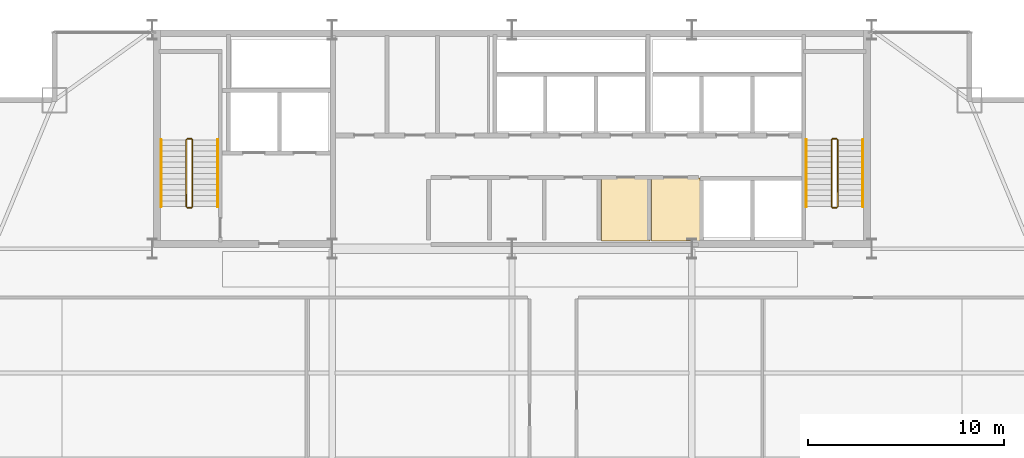
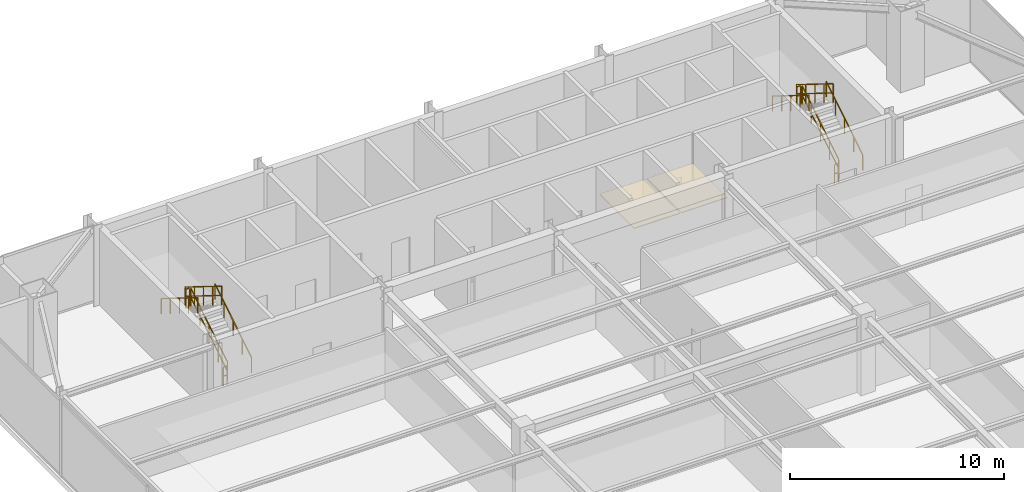
# One storey, part 25 of 25: 12 railings, 2 coverings.
"""IFC4 building model written with IfcOpenShell, lengths in metres."""

from ifc_helpers import new_model, si_unit, direction, frame, origin, origin_2d, place, context, subcontext, project, spatial, polyline, rectangle, outline, extrude, material, layer, layer_set, type_object, element, save


model = new_model("IFC4")

# Units and contexts
model_context = context("Model", 3, precision=1e-05, world=origin(), true_north=direction((0.0, 1.0)))
body_context = subcontext(model_context, "Body", "Model", "MODEL_VIEW")
ifc_project = project(units=[si_unit("LENGTHUNIT", "METRE"), si_unit("AREAUNIT", "SQUARE_METRE"), si_unit("VOLUMEUNIT", "CUBIC_METRE"), si_unit("PLANEANGLEUNIT", "RADIAN"), si_unit("MASSUNIT", "GRAM", prefix="KILO")], contexts=[model_context])

# Site, building, storey
site_placement = place(None, origin())
site = spatial("IfcSite", under=ifc_project, at=site_placement, CompositionType="ELEMENT")
building_placement = place(site_placement, origin())
building = spatial("IfcBuilding", under=site, at=building_placement, Name="Varnel Quay Broadcast Tower", CompositionType="ELEMENT")
storey_placement = place(building_placement, frame((0.0, 0.0, 191.39990234375)))
storey = spatial("IfcBuildingStorey", under=building, at=storey_placement, Name="L47", CompositionType="ELEMENT", Elevation=191.39990234375)

# Coverings
ifc_material_1 = material(Name="Micro-Perforated Acoustic Ceiling Tile")
ifc_layer = layer(ifc_material_1, 0.0400390625, Name="Micro-Perforated Acoustic Ceiling Tile")
ifc_layer_set = layer_set([ifc_layer], Name="Micro-Perforated Acoustic Ceiling Tile")
covering_type = type_object("IfcCoveringType", Name="Cov_AcousticCeiling", PredefinedType="CEILING", material=ifc_layer_set)
covering_1_placement = place(storey_placement, frame((0.0, 0.0, 2.580078125)))
element("IfcCovering", 1, at=covering_1_placement, inside=storey, type_object=covering_type, Name="L47 Cleaners' & Linen Store Acoustic Ceiling", PredefinedType="CEILING", context=body_context, shape_type="SweptSolid", body=[
    extrude(outline(polyline([(38.5849609375, 35.985107421875), (41.06494140625, 35.985107421875), (41.06494140625, 39.215087890625), (38.5849609375, 39.215087890625), (38.5849609375, 35.985107421875)])), origin(), (0.0, 0.0, 1.0), 0.0400390625),
])
covering_2_placement = place(storey_placement, frame((0.0, 0.0, 2.580078125)))
element("IfcCovering", 2, at=covering_2_placement, inside=storey, type_object=covering_type, Name="L47 Telecom IDF Closet Acoustic Ceiling", PredefinedType="CEILING", context=body_context, shape_type="SweptSolid", body=[
    extrude(outline(polyline([(41.135009765625, 35.985107421875), (43.614990234375, 35.985107421875), (43.614990234375, 39.215087890625), (41.135009765625, 39.215087890625), (41.135009765625, 35.985107421875)])), origin(), (0.0, 0.0, 1.0), 0.0400390625),
])

# Railings
ifc_material_2 = material(Name="Painted Steel Guard and Handrail CSA G40.21 350W", Category="steel")
railing_type_1 = type_object("IfcRailingType", Name="Rail_StairGuard1100", PredefinedType="GUARDRAIL", material=ifc_material_2)
railing_1_placement = place(storey_placement, frame((17.64990234375, 37.75, 0.177001953125)))
element("IfcRailing", 3, at=railing_1_placement, inside=storey, type_object=railing_type_1, Name="L47 ST-01 stair guard 1", PredefinedType="GUARDRAIL", context=body_context, shape_type="SweptSolid", body=[
    extrude(rectangle(XDim=0.048095703125, YDim=0.048095703125, at=origin_2d()), frame((0.0, 0.0, 1.076171875), z_axis=(0.0, 0.849602680019, 0.527423251388), x_axis=(-1.0, 0.0, 0.0)), (0.0, 0.0, 1.0), 4.025390625),
    extrude(rectangle(XDim=0.048095703125, YDim=0.048095703125, at=origin_2d()), frame((0.0, 0.0, 0.550048828125), z_axis=(0.0, 0.849602680019, 0.527423251388), x_axis=(-1.0, 0.0, 0.0)), (0.0, 0.0, 1.0), 4.025390625),
    extrude(rectangle(XDim=0.0419921875, YDim=0.0419921875, at=origin_2d()), origin(), (0.0, 0.0, 1.0), 1.052001953125),
    extrude(rectangle(XDim=0.0419921875, YDim=0.0419921875, at=origin_2d()), frame((0.0, 0.85498046875, 0.53076171875)), (0.0, 0.0, 1.0), 1.052001953125),
    extrude(rectangle(XDim=0.0419921875, YDim=0.0419921875, at=origin_2d()), frame((0.0, 1.7099609375, 1.0615234375)), (0.0, 0.0, 1.0), 1.052001953125),
    extrude(rectangle(XDim=0.0419921875, YDim=0.0419921875, at=origin_2d()), frame((0.0, 2.56494140625, 1.59228515625)), (0.0, 0.0, 1.0), 1.052001953125),
    extrude(rectangle(XDim=0.0419921875, YDim=0.0419921875, at=origin_2d()), frame((0.0, 3.419921875, 2.123046875)), (0.0, 0.0, 1.0), 1.052001953125),
])
railing_2_placement = place(storey_placement, frame((17.60009765625, 41.219970703125, 2.300048828125)))
element("IfcRailing", 4, at=railing_2_placement, inside=storey, type_object=railing_type_1, Name="L47 ST-01 stair guard 2", PredefinedType="GUARDRAIL", context=body_context, shape_type="SweptSolid", body=[
    extrude(rectangle(XDim=0.048095703125, YDim=0.048095703125, at=origin_2d()), frame((0.0, 0.0, 1.076171875), z_axis=(-1.0, 0.0, 0.0), x_axis=(0.0, -1.0, 0.0)), (0.0, 0.0, 1.0), 0.2001953125),
    extrude(rectangle(XDim=0.048095703125, YDim=0.048095703125, at=origin_2d()), frame((0.0, 0.0, 0.550048828125), z_axis=(-1.0, 0.0, 0.0), x_axis=(0.0, -1.0, 0.0)), (0.0, 0.0, 1.0), 0.2001953125),
    extrude(rectangle(XDim=0.0419921875, YDim=0.0419921875, at=origin_2d()), origin(), (0.0, 0.0, 1.0), 1.052001953125),
    extrude(rectangle(XDim=0.0419921875, YDim=0.0419921875, at=origin_2d()), frame((-0.2001953125, 0.0, 0.0)), (0.0, 0.0, 1.0), 1.052001953125),
])
railing_3_placement = place(storey_placement, frame((17.35009765625, 41.169921875, 2.47705078125)))
element("IfcRailing", 5, at=railing_3_placement, inside=storey, type_object=railing_type_1, Name="L47 ST-01 stair guard 3", PredefinedType="GUARDRAIL", context=body_context, shape_type="SweptSolid", body=[
    extrude(rectangle(XDim=0.048095703125, YDim=0.048095703125, at=origin_2d()), frame((0.0, 0.0, 1.076171875), z_axis=(0.0, -0.849602680019, 0.527423251388), x_axis=(1.0, 0.0, 0.0)), (0.0, 0.0, 1.0), 4.025390625),
    extrude(rectangle(XDim=0.048095703125, YDim=0.048095703125, at=origin_2d()), frame((0.0, 0.0, 0.550048828125), z_axis=(0.0, -0.849602680019, 0.527423251388), x_axis=(1.0, 0.0, 0.0)), (0.0, 0.0, 1.0), 4.025390625),
    extrude(rectangle(XDim=0.0419921875, YDim=0.0419921875, at=origin_2d()), origin(), (0.0, 0.0, 1.0), 1.052001953125),
    extrude(rectangle(XDim=0.0419921875, YDim=0.0419921875, at=origin_2d()), frame((0.0, -0.85498046875, 0.53076171875)), (0.0, 0.0, 1.0), 1.052001953125),
    extrude(rectangle(XDim=0.0419921875, YDim=0.0419921875, at=origin_2d()), frame((0.0, -1.7099609375, 1.0615234375)), (0.0, 0.0, 1.0), 1.052001953125),
    extrude(rectangle(XDim=0.0419921875, YDim=0.0419921875, at=origin_2d()), frame((0.0, -2.56494140625, 1.59228515625)), (0.0, 0.0, 1.0), 1.052001953125),
    extrude(rectangle(XDim=0.0419921875, YDim=0.0419921875, at=origin_2d()), frame((0.0, -3.419921875, 2.123046875)), (0.0, 0.0, 1.0), 1.052001953125),
])
railing_4_placement = place(storey_placement, frame((17.60009765625, 37.699951171875, 0.0)))
element("IfcRailing", 6, at=railing_4_placement, inside=storey, type_object=railing_type_1, Name="L47 ST-01 stair guard 4", PredefinedType="GUARDRAIL", context=body_context, shape_type="SweptSolid", body=[
    extrude(rectangle(XDim=0.048095703125, YDim=0.048095703125, at=origin_2d()), frame((0.0, 0.0, 1.076171875), z_axis=(-1.0, 0.0, 0.0), x_axis=(0.0, -1.0, 0.0)), (0.0, 0.0, 1.0), 0.2001953125),
    extrude(rectangle(XDim=0.048095703125, YDim=0.048095703125, at=origin_2d()), frame((0.0, 0.0, 0.550048828125), z_axis=(-1.0, 0.0, 0.0), x_axis=(0.0, -1.0, 0.0)), (0.0, 0.0, 1.0), 0.2001953125),
    extrude(rectangle(XDim=0.0419921875, YDim=0.0419921875, at=origin_2d()), origin(), (0.0, 0.0, 1.0), 1.052001953125),
    extrude(rectangle(XDim=0.0419921875, YDim=0.0419921875, at=origin_2d()), frame((-0.2001953125, 0.0, 0.0)), (0.0, 0.0, 1.0), 1.052001953125),
])
railing_5_placement = place(storey_placement, frame((50.64990234375, 37.75, 0.177001953125)))
element("IfcRailing", 7, at=railing_5_placement, inside=storey, type_object=railing_type_1, Name="L47 ST-02 stair guard 1", PredefinedType="GUARDRAIL", context=body_context, shape_type="SweptSolid", body=[
    extrude(rectangle(XDim=0.048095703125, YDim=0.048095703125, at=origin_2d()), frame((0.0, 0.0, 1.076171875), z_axis=(0.0, 0.849602680019, 0.527423251388), x_axis=(-1.0, 0.0, 0.0)), (0.0, 0.0, 1.0), 4.025390625),
    extrude(rectangle(XDim=0.048095703125, YDim=0.048095703125, at=origin_2d()), frame((0.0, 0.0, 0.550048828125), z_axis=(0.0, 0.849602680019, 0.527423251388), x_axis=(-1.0, 0.0, 0.0)), (0.0, 0.0, 1.0), 4.025390625),
    extrude(rectangle(XDim=0.0419921875, YDim=0.0419921875, at=origin_2d()), origin(), (0.0, 0.0, 1.0), 1.052001953125),
    extrude(rectangle(XDim=0.0419921875, YDim=0.0419921875, at=origin_2d()), frame((0.0, 0.85498046875, 0.53076171875)), (0.0, 0.0, 1.0), 1.052001953125),
    extrude(rectangle(XDim=0.0419921875, YDim=0.0419921875, at=origin_2d()), frame((0.0, 1.7099609375, 1.0615234375)), (0.0, 0.0, 1.0), 1.052001953125),
    extrude(rectangle(XDim=0.0419921875, YDim=0.0419921875, at=origin_2d()), frame((0.0, 2.56494140625, 1.59228515625)), (0.0, 0.0, 1.0), 1.052001953125),
    extrude(rectangle(XDim=0.0419921875, YDim=0.0419921875, at=origin_2d()), frame((0.0, 3.419921875, 2.123046875)), (0.0, 0.0, 1.0), 1.052001953125),
])
railing_6_placement = place(storey_placement, frame((50.60009765625, 41.219970703125, 2.300048828125)))
element("IfcRailing", 8, at=railing_6_placement, inside=storey, type_object=railing_type_1, Name="L47 ST-02 stair guard 2", PredefinedType="GUARDRAIL", context=body_context, shape_type="SweptSolid", body=[
    extrude(rectangle(XDim=0.048095703125, YDim=0.048095703125, at=origin_2d()), frame((0.0, 0.0, 1.076171875), z_axis=(-1.0, 0.0, 0.0), x_axis=(0.0, -1.0, 0.0)), (0.0, 0.0, 1.0), 0.2001953125),
    extrude(rectangle(XDim=0.048095703125, YDim=0.048095703125, at=origin_2d()), frame((0.0, 0.0, 0.550048828125), z_axis=(-1.0, 0.0, 0.0), x_axis=(0.0, -1.0, 0.0)), (0.0, 0.0, 1.0), 0.2001953125),
    extrude(rectangle(XDim=0.0419921875, YDim=0.0419921875, at=origin_2d()), origin(), (0.0, 0.0, 1.0), 1.052001953125),
    extrude(rectangle(XDim=0.0419921875, YDim=0.0419921875, at=origin_2d()), frame((-0.2001953125, 0.0, 0.0)), (0.0, 0.0, 1.0), 1.052001953125),
])
railing_7_placement = place(storey_placement, frame((50.35009765625, 41.169921875, 2.47705078125)))
element("IfcRailing", 9, at=railing_7_placement, inside=storey, type_object=railing_type_1, Name="L47 ST-02 stair guard 3", PredefinedType="GUARDRAIL", context=body_context, shape_type="SweptSolid", body=[
    extrude(rectangle(XDim=0.048095703125, YDim=0.048095703125, at=origin_2d()), frame((0.0, 0.0, 1.076171875), z_axis=(0.0, -0.849602680019, 0.527423251388), x_axis=(1.0, 0.0, 0.0)), (0.0, 0.0, 1.0), 4.025390625),
    extrude(rectangle(XDim=0.048095703125, YDim=0.048095703125, at=origin_2d()), frame((0.0, 0.0, 0.550048828125), z_axis=(0.0, -0.849602680019, 0.527423251388), x_axis=(1.0, 0.0, 0.0)), (0.0, 0.0, 1.0), 4.025390625),
    extrude(rectangle(XDim=0.0419921875, YDim=0.0419921875, at=origin_2d()), origin(), (0.0, 0.0, 1.0), 1.052001953125),
    extrude(rectangle(XDim=0.0419921875, YDim=0.0419921875, at=origin_2d()), frame((0.0, -0.85498046875, 0.53076171875)), (0.0, 0.0, 1.0), 1.052001953125),
    extrude(rectangle(XDim=0.0419921875, YDim=0.0419921875, at=origin_2d()), frame((0.0, -1.7099609375, 1.0615234375)), (0.0, 0.0, 1.0), 1.052001953125),
    extrude(rectangle(XDim=0.0419921875, YDim=0.0419921875, at=origin_2d()), frame((0.0, -2.56494140625, 1.59228515625)), (0.0, 0.0, 1.0), 1.052001953125),
    extrude(rectangle(XDim=0.0419921875, YDim=0.0419921875, at=origin_2d()), frame((0.0, -3.419921875, 2.123046875)), (0.0, 0.0, 1.0), 1.052001953125),
])
railing_8_placement = place(storey_placement, frame((50.60009765625, 37.699951171875, 0.0)))
element("IfcRailing", 10, at=railing_8_placement, inside=storey, type_object=railing_type_1, Name="L47 ST-02 stair guard 4", PredefinedType="GUARDRAIL", context=body_context, shape_type="SweptSolid", body=[
    extrude(rectangle(XDim=0.048095703125, YDim=0.048095703125, at=origin_2d()), frame((0.0, 0.0, 1.076171875), z_axis=(-1.0, 0.0, 0.0), x_axis=(0.0, -1.0, 0.0)), (0.0, 0.0, 1.0), 0.2001953125),
    extrude(rectangle(XDim=0.048095703125, YDim=0.048095703125, at=origin_2d()), frame((0.0, 0.0, 0.550048828125), z_axis=(-1.0, 0.0, 0.0), x_axis=(0.0, -1.0, 0.0)), (0.0, 0.0, 1.0), 0.2001953125),
    extrude(rectangle(XDim=0.0419921875, YDim=0.0419921875, at=origin_2d()), origin(), (0.0, 0.0, 1.0), 1.052001953125),
    extrude(rectangle(XDim=0.0419921875, YDim=0.0419921875, at=origin_2d()), frame((-0.2001953125, 0.0, 0.0)), (0.0, 0.0, 1.0), 1.052001953125),
])
railing_type_2 = type_object("IfcRailingType", Name="Rail_StairHandrail900", PredefinedType="HANDRAIL", material=ifc_material_2)
railing_9_placement = place(storey_placement, frame((18.949951171875, 37.75, 0.177001953125)))
element("IfcRailing", 11, at=railing_9_placement, inside=storey, type_object=railing_type_2, Name="L47 ST-01 stair handrail 1", PredefinedType="HANDRAIL", context=body_context, shape_type="SweptSolid", body=[
    extrude(rectangle(XDim=0.048095703125, YDim=0.048095703125, at=origin_2d()), frame((0.0, 0.0, 0.8759765625), z_axis=(0.0, 0.849602680019, 0.527423251388), x_axis=(-1.0, 0.0, 0.0)), (0.0, 0.0, 1.0), 4.025390625),
    extrude(rectangle(XDim=0.0419921875, YDim=0.0419921875, at=origin_2d()), origin(), (0.0, 0.0, 1.0), 0.851806640625),
    extrude(rectangle(XDim=0.0419921875, YDim=0.0419921875, at=origin_2d()), frame((0.0, 0.85498046875, 0.53076171875)), (0.0, 0.0, 1.0), 0.851806640625),
    extrude(rectangle(XDim=0.0419921875, YDim=0.0419921875, at=origin_2d()), frame((0.0, 1.7099609375, 1.0615234375)), (0.0, 0.0, 1.0), 0.851806640625),
    extrude(rectangle(XDim=0.0419921875, YDim=0.0419921875, at=origin_2d()), frame((0.0, 2.56494140625, 1.59228515625)), (0.0, 0.0, 1.0), 0.851806640625),
    extrude(rectangle(XDim=0.0419921875, YDim=0.0419921875, at=origin_2d()), frame((0.0, 3.419921875, 2.123046875)), (0.0, 0.0, 1.0), 0.851806640625),
])
railing_10_placement = place(storey_placement, frame((16.050048828125, 41.169921875, 2.47705078125)))
element("IfcRailing", 12, at=railing_10_placement, inside=storey, type_object=railing_type_2, Name="L47 ST-01 stair handrail 2", PredefinedType="HANDRAIL", context=body_context, shape_type="SweptSolid", body=[
    extrude(rectangle(XDim=0.048095703125, YDim=0.048095703125, at=origin_2d()), frame((0.0, 0.0, 0.8759765625), z_axis=(0.0, -0.849602680019, 0.527423251388), x_axis=(1.0, 0.0, 0.0)), (0.0, 0.0, 1.0), 4.025390625),
    extrude(rectangle(XDim=0.0419921875, YDim=0.0419921875, at=origin_2d()), origin(), (0.0, 0.0, 1.0), 0.851806640625),
    extrude(rectangle(XDim=0.0419921875, YDim=0.0419921875, at=origin_2d()), frame((0.0, -0.85498046875, 0.53076171875)), (0.0, 0.0, 1.0), 0.851806640625),
    extrude(rectangle(XDim=0.0419921875, YDim=0.0419921875, at=origin_2d()), frame((0.0, -1.7099609375, 1.0615234375)), (0.0, 0.0, 1.0), 0.851806640625),
    extrude(rectangle(XDim=0.0419921875, YDim=0.0419921875, at=origin_2d()), frame((0.0, -2.56494140625, 1.59228515625)), (0.0, 0.0, 1.0), 0.851806640625),
    extrude(rectangle(XDim=0.0419921875, YDim=0.0419921875, at=origin_2d()), frame((0.0, -3.419921875, 2.123046875)), (0.0, 0.0, 1.0), 0.851806640625),
])
railing_11_placement = place(storey_placement, frame((51.949951171875, 37.75, 0.177001953125)))
element("IfcRailing", 13, at=railing_11_placement, inside=storey, type_object=railing_type_2, Name="L47 ST-02 stair handrail 1", PredefinedType="HANDRAIL", context=body_context, shape_type="SweptSolid", body=[
    extrude(rectangle(XDim=0.048095703125, YDim=0.048095703125, at=origin_2d()), frame((0.0, 0.0, 0.8759765625), z_axis=(0.0, 0.849602680019, 0.527423251388), x_axis=(-1.0, 0.0, 0.0)), (0.0, 0.0, 1.0), 4.025390625),
    extrude(rectangle(XDim=0.0419921875, YDim=0.0419921875, at=origin_2d()), origin(), (0.0, 0.0, 1.0), 0.851806640625),
    extrude(rectangle(XDim=0.0419921875, YDim=0.0419921875, at=origin_2d()), frame((0.0, 0.85498046875, 0.53076171875)), (0.0, 0.0, 1.0), 0.851806640625),
    extrude(rectangle(XDim=0.0419921875, YDim=0.0419921875, at=origin_2d()), frame((0.0, 1.7099609375, 1.0615234375)), (0.0, 0.0, 1.0), 0.851806640625),
    extrude(rectangle(XDim=0.0419921875, YDim=0.0419921875, at=origin_2d()), frame((0.0, 2.56494140625, 1.59228515625)), (0.0, 0.0, 1.0), 0.851806640625),
    extrude(rectangle(XDim=0.0419921875, YDim=0.0419921875, at=origin_2d()), frame((0.0, 3.419921875, 2.123046875)), (0.0, 0.0, 1.0), 0.851806640625),
])
railing_12_placement = place(storey_placement, frame((49.050048828125, 41.169921875, 2.47705078125)))
element("IfcRailing", 14, at=railing_12_placement, inside=storey, type_object=railing_type_2, Name="L47 ST-02 stair handrail 2", PredefinedType="HANDRAIL", context=body_context, shape_type="SweptSolid", body=[
    extrude(rectangle(XDim=0.048095703125, YDim=0.048095703125, at=origin_2d()), frame((0.0, 0.0, 0.8759765625), z_axis=(0.0, -0.849602680019, 0.527423251388), x_axis=(1.0, 0.0, 0.0)), (0.0, 0.0, 1.0), 4.025390625),
    extrude(rectangle(XDim=0.0419921875, YDim=0.0419921875, at=origin_2d()), origin(), (0.0, 0.0, 1.0), 0.851806640625),
    extrude(rectangle(XDim=0.0419921875, YDim=0.0419921875, at=origin_2d()), frame((0.0, -0.85498046875, 0.53076171875)), (0.0, 0.0, 1.0), 0.851806640625),
    extrude(rectangle(XDim=0.0419921875, YDim=0.0419921875, at=origin_2d()), frame((0.0, -1.7099609375, 1.0615234375)), (0.0, 0.0, 1.0), 0.851806640625),
    extrude(rectangle(XDim=0.0419921875, YDim=0.0419921875, at=origin_2d()), frame((0.0, -2.56494140625, 1.59228515625)), (0.0, 0.0, 1.0), 0.851806640625),
    extrude(rectangle(XDim=0.0419921875, YDim=0.0419921875, at=origin_2d()), frame((0.0, -3.419921875, 2.123046875)), (0.0, 0.0, 1.0), 0.851806640625),
])

save(model, "model.ifc")
